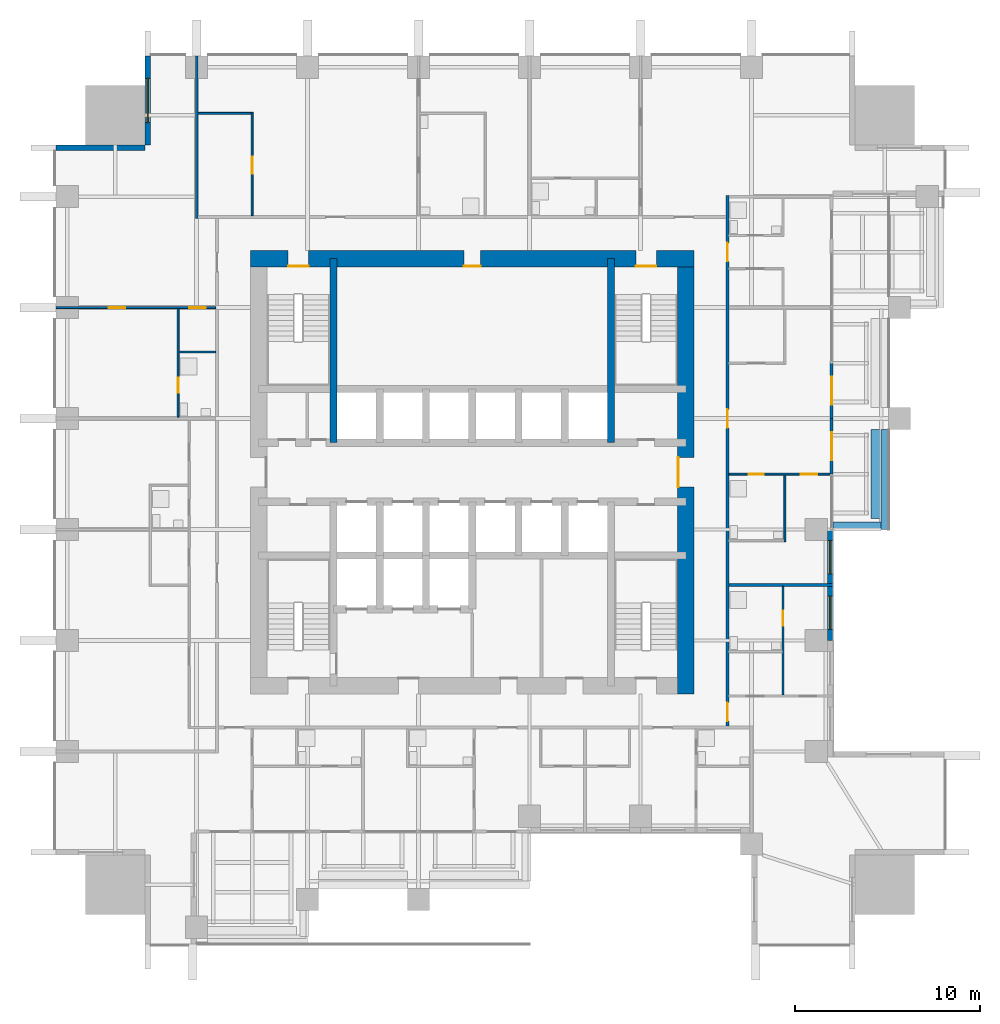
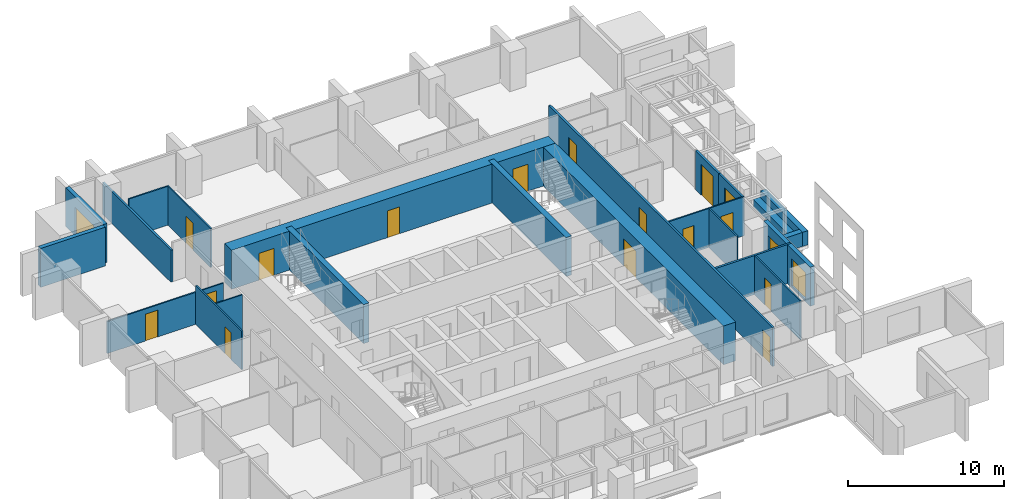
# One storey, part 10 of 15: 23 walls, 16 doors, 3 windows, 19 openings.
"""IFC4 building model written with IfcOpenShell, lengths in metres."""

import ifcopenshell
import ifcopenshell.guid

model = None  # the IFC model being written
_history = None  # IfcOwnerHistory: only IFC2X3 demands one
_inside = {}  # id of a spatial element -> (the spatial element, [elements in it])
_under = {}  # id of a project, library or spatial element -> (it, [spatial elements below it])
_declared = {}  # id of a project -> (the project, [libraries it declares])
_typed = {}  # id of a type object -> (the type object, [elements of that type])
_made_of = {}  # id of a material, layer set ... -> (it, [elements and type objects made of it])


def new_model(schema):
    """Start an empty IFC model of exactly this schema.

    Asked for "IFC4X3", IfcOpenShell would pick the latest addendum, in which some entities
    have other attributes; the version numbers below select the first issue.
    IFC2X3 requires an IfcOwnerHistory on every rooted entity: one is made here for all.
    """
    global model, _history
    if schema == "IFC4X3":
        model = ifcopenshell.file(schema_version=(4, 3, 0, 0))
    else:
        model = ifcopenshell.file(schema=schema)
    _inside.clear()
    _under.clear()
    _declared.clear()
    _typed.clear()
    _made_of.clear()
    _history = None
    if model.schema == "IFC2X3":
        org = make("IfcOrganization", Name="unknown")
        user = make(
            "IfcPersonAndOrganization",
            ThePerson=make("IfcPerson", FamilyName="unknown"),
            TheOrganization=org,
        )
        app = make(
            "IfcApplication",
            ApplicationDeveloper=org,
            Version="unknown",
            ApplicationFullName="unknown",
            ApplicationIdentifier="unknown",
        )
        _history = make(
            "IfcOwnerHistory",
            OwningUser=user,
            OwningApplication=app,
            ChangeAction="ADDED",
            CreationDate=0,
        )
    return model


def make(cls, **values):
    """One entity of the class cls with the attributes given. An attribute that is None is left unset."""
    return model.create_entity(
        cls, **{name: value for name, value in values.items() if value is not None}
    )


def rooted(cls, **values):
    """An entity with a GlobalId (a new one), such as an element, a storey or a relation."""
    return make(cls, GlobalId=ifcopenshell.guid.new(), OwnerHistory=_history, **values)


def si_unit(unit_type, name, prefix=None):
    """IfcSIUnit, for example si_unit("LENGTHUNIT", "METRE", prefix="MILLI")."""
    return make("IfcSIUnit", UnitType=unit_type, Prefix=prefix, Name=name)


def assignment(units):
    """IfcUnitAssignment: the units of a project."""
    return None if units is None else make("IfcUnitAssignment", Units=units)


def point(xyz):
    """IfcCartesianPoint."""
    return None if xyz is None else make("IfcCartesianPoint", Coordinates=xyz)


def direction(xyz):
    """IfcDirection."""
    return None if xyz is None else make("IfcDirection", DirectionRatios=xyz)


def frame(location, z_axis=None, x_axis=None):
    """IfcAxis2Placement3D, a coordinate frame: its origin and axes. An axis left out is left unset."""
    return make(
        "IfcAxis2Placement3D",
        Location=point(location),
        Axis=direction(z_axis),
        RefDirection=direction(x_axis),
    )


def frame_2d(location, x_axis=None):
    """IfcAxis2Placement2D, a coordinate frame in the plane: its origin and x axis."""
    return make(
        "IfcAxis2Placement2D", Location=point(location), RefDirection=direction(x_axis)
    )


def origin():
    """The frame at (0, 0, 0) with its axes left unset."""
    return frame((0.0, 0.0, 0.0))


def place(relative_to, where):
    """IfcLocalPlacement: puts the frame where relative to a parent placement (None: the world)."""
    return make(
        "IfcLocalPlacement", PlacementRelTo=relative_to, RelativePlacement=where
    )


def context(
    kind, dimensions, precision=None, world=None, true_north=None, identifier=None
):
    """IfcGeometricRepresentationContext, for example the 3D "Model" context."""
    return make(
        "IfcGeometricRepresentationContext",
        ContextIdentifier=identifier,
        ContextType=kind,
        CoordinateSpaceDimension=dimensions,
        Precision=precision,
        WorldCoordinateSystem=world,
        TrueNorth=true_north,
    )


def subcontext(parent, identifier, kind, view, scale=None):
    """IfcGeometricRepresentationSubContext, for example "Body" below "Model"."""
    return make(
        "IfcGeometricRepresentationSubContext",
        ContextIdentifier=identifier,
        ContextType=kind,
        ParentContext=parent,
        TargetScale=scale,
        TargetView=view,
    )


def project(units=None, contexts=None):
    """IfcProject with its units and contexts."""
    return rooted(
        "IfcProject",
        Name="project",
        RepresentationContexts=contexts,
        UnitsInContext=assignment(units),
    )


def spatial(cls, under=None, at=None, **own):
    """A site, building, storey or space (cls), placed at a placement, below another one or the project."""
    s = rooted(cls, ObjectPlacement=at, **own)
    if under is not None:
        _under.setdefault(under.id(), (under, []))[1].append(s)
    return s


def profile(cls, at=None, kind="AREA", **sizes):
    """A parametric profile (cls). Its sizes go by their IFC names, for example OverallWidth=200.0."""
    return make(cls, ProfileType=kind, Position=at, **sizes)


def rectangle(**sizes):
    """IfcRectangleProfileDef."""
    return profile("IfcRectangleProfileDef", **sizes)


def extrude(swept, where, along, depth):
    """IfcExtrudedAreaSolid: the profile swept, set in the frame where, extruded along a direction by depth."""
    return make(
        "IfcExtrudedAreaSolid",
        SweptArea=swept,
        Position=where,
        ExtrudedDirection=direction(along),
        Depth=depth,
    )


def shape(context_of_items, identifier, shape_type, items):
    """IfcShapeRepresentation: the items that make up one representation, for example the "Body"."""
    return make(
        "IfcShapeRepresentation",
        ContextOfItems=context_of_items,
        RepresentationIdentifier=identifier,
        RepresentationType=shape_type,
        Items=items,
    )


def material(Name=None, Category=None):
    """IfcMaterial."""
    return make("IfcMaterial", Name=Name, Category=Category)


def layer(
    of_material, thickness, ventilated=None, Name=None, Category=None, Priority=None
):
    """IfcMaterialLayer: one layer of a wall or slab, of a material (None: an air gap)."""
    return make(
        "IfcMaterialLayer",
        Material=of_material,
        LayerThickness=thickness,
        IsVentilated=ventilated,
        Name=Name,
        Category=Category,
        Priority=Priority,
    )


def layer_set(layers, Name=None):
    """IfcMaterialLayerSet."""
    return make("IfcMaterialLayerSet", MaterialLayers=layers, LayerSetName=Name)


def made_of(thing, what):
    """Note that an element or type object is made of a material, layer set ...; save() writes the relation."""
    if what is not None:
        _made_of.setdefault(what.id(), (what, []))[1].append(thing)
    return thing


def type_object(cls, material=None, **own):
    """A type object (cls), such as IfcWallType, which elements share."""
    return made_of(rooted(cls, **own), material)


def element(
    cls,
    number,
    at=None,
    inside=None,
    cuts=None,
    type_object=None,
    material=None,
    context=None,
    identifier="Body",
    shape_type=None,
    held_by="IfcProductDefinitionShape",
    body=None,
    shapes=None,
    **own,
):
    """One element of the class cls, such as IfcWall. Its Tag is "e" and its number.

    at: its placement. inside: the storey or other place that contains it. cuts: it is an
    opening in that element (IfcRelVoidsElement). A single representation is given by context,
    identifier, shape_type and body (its items); several are given by shapes. held_by: the class
    of the entity that holds the representations. save() writes the other relations.
    """
    e = rooted(cls, Tag="e%d" % number, ObjectPlacement=at, **own)
    if body is not None:
        shapes = [shape(context, identifier, shape_type, body)]
    if shapes is not None:
        e.Representation = make(held_by, Representations=shapes)
    if inside is not None:
        _inside.setdefault(inside.id(), (inside, []))[1].append(e)
    if cuts is not None:
        rooted(
            "IfcRelVoidsElement", RelatingBuildingElement=cuts, RelatedOpeningElement=e
        )
    if type_object is not None:
        _typed.setdefault(type_object.id(), (type_object, []))[1].append(e)
    return made_of(e, material)


def fill(opening, filler):
    """IfcRelFillsElement: the door or window that sits in an opening."""
    return rooted(
        "IfcRelFillsElement",
        RelatingOpeningElement=opening,
        RelatedBuildingElement=filler,
    )


def aggregate(whole, parts):
    """IfcRelAggregates: a whole, such as a stair, and the parts it consists of."""
    return rooted("IfcRelAggregates", RelatingObject=whole, RelatedObjects=parts)


def save(model, path):
    """Write the relations noted so far, then the file.

    IfcRelAggregates (storeys below a building ...), IfcRelContainedInSpatialStructure (elements
    in a storey), IfcRelDefinesByType, IfcRelAssociatesMaterial and IfcRelDeclares: one each for
    every whole, place, type object, material and project.
    """
    for whole, parts in _under.values():
        aggregate(whole, parts)
    for where, things in _inside.values():
        rooted(
            "IfcRelContainedInSpatialStructure",
            RelatedElements=things,
            RelatingStructure=where,
        )
    for kind, things in _typed.values():
        rooted("IfcRelDefinesByType", RelatedObjects=things, RelatingType=kind)
    for what, things in _made_of.values():
        rooted("IfcRelAssociatesMaterial", RelatedObjects=things, RelatingMaterial=what)
    for by, libraries in _declared.values():
        rooted("IfcRelDeclares", RelatingContext=by, RelatedDefinitions=libraries)
    model.write(path)


model = new_model("IFC4")

# Units and contexts
model_context = context("Model", 3, precision=1e-05, world=origin(), true_north=direction((0.0, 1.0)))
body_context = subcontext(model_context, "Body", "Model", "MODEL_VIEW")
ifc_project = project(units=[si_unit("LENGTHUNIT", "METRE"), si_unit("AREAUNIT", "SQUARE_METRE"), si_unit("VOLUMEUNIT", "CUBIC_METRE"), si_unit("PLANEANGLEUNIT", "RADIAN"), si_unit("MASSUNIT", "GRAM", prefix="KILO")], contexts=[model_context])

# Site, building, storey
site_placement = place(None, origin())
site = spatial("IfcSite", under=ifc_project, at=site_placement, CompositionType="ELEMENT")
building_placement = place(site_placement, origin())
building = spatial("IfcBuilding", under=site, at=building_placement, Name="Amberfall Residences", CompositionType="ELEMENT")
storey_placement = place(building_placement, frame((0.0, 0.0, 53.199951171875)))
storey = spatial("IfcBuildingStorey", under=building, at=storey_placement, Name="L14", CompositionType="ELEMENT", Elevation=53.199951171875)

# Wall, opening, window
ifc_material_1 = material(Name="Pale stone cladding on insulated backing", Category="masonry")
ifc_layer_1 = layer(ifc_material_1, 0.300048828125)
ifc_layer_set_1 = layer_set([ifc_layer_1], Name="Bronze clad wall 300")
wall_type_1 = type_object("IfcWallType", Name="Bronze clad wall 300", PredefinedType="SOLIDWALL", material=ifc_layer_set_1)
wall_1_placement = place(storey_placement, frame((56.949951171875, 68.0, 0.0), z_axis=(0.0, 0.0, 1.0), x_axis=(0.0, -1.0, 0.0)))
wall_1 = element("IfcWall", 1, at=wall_1_placement, inside=storey, type_object=wall_type_1, Name="External wall L14 NW", PredefinedType="SOLIDWALL", context=body_context, shape_type="SweptSolid", body=[
    extrude(rectangle(XDim=4.800048828125, YDim=0.300048828125, at=frame_2d((2.39990234375, 0.0))), origin(), (0.0, 0.0, 1.0), 3.050048828125),
])
opening_1_placement = place(wall_1_placement, frame((1.199951171875, 0.0, 0.14990234375)))
opening_1 = element("IfcOpeningElement", 2, at=opening_1_placement, cuts=wall_1, Name="Opening WN5", PredefinedType="OPENING", context=body_context, shape_type="SweptSolid", body=[
    extrude(rectangle(XDim=2.39990234375, YDim=2.10009765625, at=frame_2d((1.199951171875, 1.050048828125))), frame((0.0, 0.159912109375, 0.0), z_axis=(0.0, -1.0, 0.0), x_axis=(1.0, 0.0, 0.0)), (0.0, 0.0, 1.0), 0.320068359375),
])
ifc_material_2 = material(Name="Bronze aluminium framed glazing", Category="aluminium")
window_type_1 = type_object("IfcWindowType", Name="Glazed opening 2400 x 2100 bronze", PartitioningType="DOUBLE_PANEL_VERTICAL", PredefinedType="WINDOW", material=ifc_material_2)
window_1_placement = place(opening_1_placement, origin())
window_1 = element("IfcWindow", 3, at=window_1_placement, inside=storey, type_object=window_type_1, Name="Window L14 NW", OverallHeight=2.10009765625, OverallWidth=2.39990234375, PartitioningType="DOUBLE_PANEL_VERTICAL", PredefinedType="WINDOW", context=body_context, shape_type="SweptSolid", body=[
    extrude(rectangle(XDim=2.39990234375, YDim=2.10009765625, at=frame_2d((1.199951171875, 1.050048828125))), frame((0.0, 0.030029296875, 0.0), z_axis=(0.0, -1.0, 0.0), x_axis=(1.0, 0.0, 0.0)), (0.0, 0.0, 1.0), 0.06005859375),
])
fill(opening_1, window_1)

# Wall
wall_2_placement = place(storey_placement, frame((56.800048828125, 63.050048828125, 0.0), z_axis=(0.0, 0.0, 1.0), x_axis=(-1.0, 0.0, 0.0)))
element("IfcWall", 4, at=wall_2_placement, inside=storey, type_object=wall_type_1, Name="External wall L14 NW", PredefinedType="SOLIDWALL", context=body_context, shape_type="SweptSolid", body=[
    extrude(rectangle(XDim=4.800048828125, YDim=0.300048828125, at=frame_2d((2.39990234375, 0.0))), origin(), (0.0, 0.0, 1.0), 3.050048828125),
])

# Wall, openings, windows
wall_3_placement = place(storey_placement, frame((93.85009765625, 36.39990234375, 0.0), z_axis=(0.0, 0.0, 1.0), x_axis=(0.0, 1.0, 0.0)))
wall_3 = element("IfcWall", 5, at=wall_3_placement, inside=storey, type_object=wall_type_1, Name="Stone wall L14 E", PredefinedType="SOLIDWALL", context=body_context, shape_type="SweptSolid", body=[
    extrude(rectangle(XDim=6.0, YDim=0.300048828125, at=frame_2d((3.0, 0.0))), origin(), (0.0, 0.0, 1.0), 3.050048828125),
])
opening_2_placement = place(wall_3_placement, frame((0.60009765625, 0.0, 0.14990234375)))
opening_2 = element("IfcOpeningElement", 6, at=opening_2_placement, cuts=wall_3, Name="Opening WN6", PredefinedType="OPENING", context=body_context, shape_type="SweptSolid", body=[
    extrude(rectangle(XDim=1.800048828125, YDim=2.10009765625, at=frame_2d((0.89990234375, 1.050048828125))), frame((0.0, 0.159912109375, 0.0), z_axis=(0.0, -1.0, 0.0), x_axis=(1.0, 0.0, 0.0)), (0.0, 0.0, 1.0), 0.320068359375),
])
opening_3_placement = place(wall_3_placement, frame((3.60009765625, 0.0, 0.14990234375)))
opening_3 = element("IfcOpeningElement", 7, at=opening_3_placement, cuts=wall_3, Name="Opening WN6", PredefinedType="OPENING", context=body_context, shape_type="SweptSolid", body=[
    extrude(rectangle(XDim=1.800048828125, YDim=2.10009765625, at=frame_2d((0.89990234375, 1.050048828125))), frame((0.0, 0.159912109375, 0.0), z_axis=(0.0, -1.0, 0.0), x_axis=(1.0, 0.0, 0.0)), (0.0, 0.0, 1.0), 0.320068359375),
])
window_type_2 = type_object("IfcWindowType", Name="Glazed opening 1800 x 2100 bronze", PartitioningType="DOUBLE_PANEL_VERTICAL", PredefinedType="WINDOW", material=ifc_material_2)
window_2_placement = place(opening_2_placement, origin())
window_2 = element("IfcWindow", 8, at=window_2_placement, inside=storey, type_object=window_type_2, Name="Window L14 E", OverallHeight=2.10009765625, OverallWidth=1.800048828125, PartitioningType="DOUBLE_PANEL_VERTICAL", PredefinedType="WINDOW", context=body_context, shape_type="SweptSolid", body=[
    extrude(rectangle(XDim=1.800048828125, YDim=2.10009765625, at=frame_2d((0.89990234375, 1.050048828125))), frame((0.0, 0.030029296875, 0.0), z_axis=(0.0, -1.0, 0.0), x_axis=(1.0, 0.0, 0.0)), (0.0, 0.0, 1.0), 0.06005859375),
])
fill(opening_2, window_2)
window_3_placement = place(opening_3_placement, origin())
window_3 = element("IfcWindow", 9, at=window_3_placement, inside=storey, type_object=window_type_2, Name="Window L14 E", OverallHeight=2.10009765625, OverallWidth=1.800048828125, PartitioningType="DOUBLE_PANEL_VERTICAL", PredefinedType="WINDOW", context=body_context, shape_type="SweptSolid", body=[
    extrude(rectangle(XDim=1.800048828125, YDim=2.10009765625, at=frame_2d((0.89990234375, 1.050048828125))), frame((0.0, 0.030029296875, 0.0), z_axis=(0.0, -1.0, 0.0), x_axis=(1.0, 0.0, 0.0)), (0.0, 0.0, 1.0), 0.06005859375),
])
fill(opening_3, window_3)

# Walls
ifc_material_3 = material(Name="Concrete C80", Category="concrete")
ifc_layer_2 = layer(ifc_material_3, 0.39990234375)
ifc_layer_set_2 = layer_set([ifc_layer_2], Name="Core wall 400 C80")
wall_type_2 = type_object("IfcWallType", Name="Core wall 400 C80", PredefinedType="SHEAR", material=ifc_layer_set_2)
for number, where, z_axis, x_axis, name in (
    (10, (67.0, 47.10009765625, 0.0), (0.0, 0.0, 1.0), (0.0, 1.0, 0.0), "Core wall RW2 L14 V45N"),
    (11, (82.0, 47.10009765625, 0.0), (0.0, 0.0, 1.0), (0.0, 1.0, 0.0), "Core wall RW2 L14 V195N"),
):
    element("IfcWall", number, at=place(storey_placement, frame(where, z_axis=z_axis, x_axis=x_axis)), inside=storey, type_object=wall_type_2, Name=name, PredefinedType="SHEAR", context=body_context, shape_type="SweptSolid", body=[
        extrude(rectangle(XDim=9.949951171875, YDim=0.39990234375, at=frame_2d((4.97509765625, 0.0))), origin(), (0.0, 0.0, 1.0), 3.050048828125),
    ])

# Wall, openings, doors
ifc_layer_3 = layer(ifc_material_3, 0.89990234375)
ifc_layer_set_3 = layer_set([ifc_layer_3], Name="Core wall 900 C80")
wall_type_3 = type_object("IfcWallType", Name="Core wall 900 C80", PredefinedType="SHEAR", material=ifc_layer_set_3)
wall_4_placement = place(storey_placement, frame((62.5, 57.050048828125, 0.0), z_axis=(0.0, 0.0, 1.0), x_axis=(1.0, 0.0, 0.0)))
wall_4 = element("IfcWall", 12, at=wall_4_placement, inside=storey, type_object=wall_type_3, Name="Core wall RW1 L14 ON", PredefinedType="SHEAR", context=body_context, shape_type="SweptSolid", body=[
    extrude(rectangle(XDim=24.0, YDim=0.89990234375, at=frame_2d((12.0, 0.0))), origin(), (0.0, 0.0, 1.0), 3.050048828125),
])
opening_4_placement = place(wall_4_placement, frame((20.85009765625, 0.0, 0.0)))
opening_4 = element("IfcOpeningElement", 13, at=opening_4_placement, cuts=wall_4, Name="Opening SD1", PredefinedType="OPENING", context=body_context, shape_type="SweptSolid", body=[
    extrude(rectangle(XDim=1.10009765625, YDim=2.10009765625, at=frame_2d((0.550048828125, 1.050048828125))), frame((0.0, 0.4599609375, 0.0), z_axis=(0.0, -1.0, 0.0), x_axis=(1.0, 0.0, 0.0)), (0.0, 0.0, 1.0), 0.919921875),
])
opening_5_placement = place(wall_4_placement, frame((2.050048828125, 0.0, 0.0)))
opening_5 = element("IfcOpeningElement", 14, at=opening_5_placement, cuts=wall_4, Name="Opening SD1", PredefinedType="OPENING", context=body_context, shape_type="SweptSolid", body=[
    extrude(rectangle(XDim=1.10009765625, YDim=2.10009765625, at=frame_2d((0.550048828125, 1.050048828125))), frame((0.0, 0.4599609375, 0.0), z_axis=(0.0, -1.0, 0.0), x_axis=(1.0, 0.0, 0.0)), (0.0, 0.0, 1.0), 0.919921875),
])
opening_6_placement = place(wall_4_placement, frame((11.550048828125, 0.0, 0.0)))
opening_6 = element("IfcOpeningElement", 15, at=opening_6_placement, cuts=wall_4, Name="Opening RD1", PredefinedType="OPENING", context=body_context, shape_type="SweptSolid", body=[
    extrude(rectangle(XDim=0.89990234375, YDim=2.10009765625, at=frame_2d((0.449951171875, 1.050048828125))), frame((0.0, 0.4599609375, 0.0), z_axis=(0.0, -1.0, 0.0), x_axis=(1.0, 0.0, 0.0)), (0.0, 0.0, 1.0), 0.919921875),
])
ifc_material_4 = material(Name="Steel fire door set", Category="steel")
door_type_1 = type_object("IfcDoorType", Name="Service room door 900 x 2100", OperationType="SINGLE_SWING_LEFT", PredefinedType="DOOR", material=ifc_material_4)
door_1_placement = place(opening_6_placement, origin())
door_1 = element("IfcDoor", 16, at=door_1_placement, inside=storey, type_object=door_type_1, Name="RD1 L14", OperationType="SINGLE_SWING_RIGHT", OverallHeight=2.10009765625, OverallWidth=0.89990234375, PredefinedType="DOOR", context=body_context, shape_type="SweptSolid", body=[
    extrude(rectangle(XDim=0.89990234375, YDim=2.10009765625, at=frame_2d((0.449951171875, 1.050048828125))), frame((0.0, -0.3876953125, 0.0), z_axis=(0.0, -1.0, 0.0), x_axis=(1.0, 0.0, 0.0)), (0.0, 0.0, 1.0), 0.050048828125),
])
fill(opening_6, door_1)
door_type_2 = type_object("IfcDoorType", Name="Stair door 1100 x 2100", OperationType="SINGLE_SWING_LEFT", PredefinedType="DOOR", material=ifc_material_4)
door_2_placement = place(opening_4_placement, origin())
door_2 = element("IfcDoor", 17, at=door_2_placement, inside=storey, type_object=door_type_2, Name="SD1 L14", OperationType="SINGLE_SWING_RIGHT", OverallHeight=2.10009765625, OverallWidth=1.10009765625, PredefinedType="DOOR", context=body_context, shape_type="SweptSolid", body=[
    extrude(rectangle(XDim=1.10009765625, YDim=2.10009765625, at=frame_2d((0.550048828125, 1.050048828125))), frame((0.0, -0.3876953125, 0.0), z_axis=(0.0, -1.0, 0.0), x_axis=(1.0, 0.0, 0.0)), (0.0, 0.0, 1.0), 0.050048828125),
])
fill(opening_4, door_2)
door_3_placement = place(opening_5_placement, origin())
door_3 = element("IfcDoor", 18, at=door_3_placement, inside=storey, type_object=door_type_2, Name="SD1 L14", OperationType="SINGLE_SWING_LEFT", OverallHeight=2.10009765625, OverallWidth=1.10009765625, PredefinedType="DOOR", context=body_context, shape_type="SweptSolid", body=[
    extrude(rectangle(XDim=1.10009765625, YDim=2.10009765625, at=frame_2d((0.550048828125, 1.050048828125))), frame((0.0, -0.3876953125, 0.0), z_axis=(0.0, -1.0, 0.0), x_axis=(1.0, 0.0, 0.0)), (0.0, 0.0, 1.0), 0.050048828125),
])
fill(opening_5, door_3)

# Wall, opening, door
wall_5_placement = place(storey_placement, frame((86.050048828125, 33.5, 0.0), z_axis=(0.0, 0.0, 1.0), x_axis=(0.0, 1.0, 0.0)))
wall_5 = element("IfcWall", 19, at=wall_5_placement, inside=storey, type_object=wall_type_3, Name="Core wall RW1 L14 OE", PredefinedType="SHEAR", context=body_context, shape_type="SweptSolid", body=[
    extrude(rectangle(XDim=24.0, YDim=0.89990234375, at=frame_2d((12.0, 0.0))), origin(), (0.0, 0.0, 1.0), 3.050048828125),
])
opening_7_placement = place(wall_5_placement, frame((11.199951171875, 0.0, 0.0)))
opening_7 = element("IfcOpeningElement", 20, at=opening_7_placement, cuts=wall_5, Name="Opening LB1", PredefinedType="OPENING", context=body_context, shape_type="SweptSolid", body=[
    extrude(rectangle(XDim=1.60009765625, YDim=2.10009765625, at=frame_2d((0.800048828125, 1.050048828125))), frame((0.0, 0.4599609375, 0.0), z_axis=(0.0, -1.0, 0.0), x_axis=(1.0, 0.0, 0.0)), (0.0, 0.0, 1.0), 0.919921875),
])
door_type_3 = type_object("IfcDoorType", Name="Lift lobby double door 1600 x 2100", OperationType="DOUBLE_DOOR_SINGLE_SWING", PredefinedType="DOOR", material=ifc_material_4)
door_4_placement = place(opening_7_placement, origin())
door_4 = element("IfcDoor", 21, at=door_4_placement, inside=storey, type_object=door_type_3, Name="LB1 L14", OperationType="DOUBLE_DOOR_SINGLE_SWING", OverallHeight=2.10009765625, OverallWidth=1.60009765625, PredefinedType="DOOR", context=body_context, shape_type="SweptSolid", body=[
    extrude(rectangle(XDim=1.60009765625, YDim=2.10009765625, at=frame_2d((0.800048828125, 1.050048828125))), frame((0.0, 0.4375, 0.0), z_axis=(0.0, -1.0, 0.0), x_axis=(1.0, 0.0, 0.0)), (0.0, 0.0, 1.0), 0.050048828125),
])
fill(opening_7, door_4)

ifc_material_5 = material(Name="Gypsum board on metal stud")
ifc_layer_4 = layer(ifc_material_5, 0.10009765625)
ifc_layer_set_4 = layer_set([ifc_layer_4], Name="Flat partition 100")
wall_type_4 = type_object("IfcWallType", Name="Flat partition 100", PredefinedType="PARTITIONING", material=ifc_layer_set_4)
wall_6_placement = place(storey_placement, frame((58.60009765625, 54.35009765625, 0.0), z_axis=(0.0, 0.0, 1.0), x_axis=(0.0, -1.0, 0.0)))
wall_6 = element("IfcWall", 22, at=wall_6_placement, inside=storey, type_object=wall_type_4, Name="Partition 002", PredefinedType="PARTITIONING", context=body_context, shape_type="SweptSolid", body=[
    extrude(rectangle(XDim=5.875, YDim=0.10009765625, at=frame_2d((2.9375, 0.0))), origin(), (0.0, 0.0, 1.0), 3.050048828125),
])
opening_8_placement = place(wall_6_placement, frame((3.75, 0.0, 0.0)))
opening_8 = element("IfcOpeningElement", 23, at=opening_8_placement, cuts=wall_6, Name="Opening D42", PredefinedType="OPENING", context=body_context, shape_type="SweptSolid", body=[
    extrude(rectangle(XDim=0.800048828125, YDim=2.10009765625, at=frame_2d((0.39990234375, 1.050048828125))), frame((0.0, 0.06005859375, 0.0), z_axis=(0.0, -1.0, 0.0), x_axis=(1.0, 0.0, 0.0)), (0.0, 0.0, 1.0), 0.1201171875),
])
ifc_material_6 = material(Name="Timber", Category="wood")
door_type_4 = type_object("IfcDoorType", Name="Bathroom door 800 x 2100", OperationType="SINGLE_SWING_LEFT", PredefinedType="DOOR", material=ifc_material_6)
door_5_placement = place(opening_8_placement, origin())
door_5 = element("IfcDoor", 24, at=door_5_placement, inside=storey, type_object=door_type_4, Name="Door 1410 bath1", OperationType="SINGLE_SWING_LEFT", OverallHeight=2.10009765625, OverallWidth=0.800048828125, PredefinedType="DOOR", context=body_context, shape_type="SweptSolid", body=[
    extrude(rectangle(XDim=0.800048828125, YDim=2.10009765625, at=frame_2d((0.39990234375, 1.050048828125))), frame((0.0, 0.02490234375, 0.0), z_axis=(0.0, -1.0, 0.0), x_axis=(1.0, 0.0, 0.0)), (0.0, 0.0, 1.0), 0.050048828125),
])
fill(opening_8, door_5)

wall_7_placement = place(storey_placement, frame((62.60009765625, 59.375, 0.0), z_axis=(0.0, 0.0, 1.0), x_axis=(0.0, 1.0, 0.0)))
wall_7 = element("IfcWall", 25, at=wall_7_placement, inside=storey, type_object=wall_type_4, Name="Partition 005", PredefinedType="PARTITIONING", context=body_context, shape_type="SweptSolid", body=[
    extrude(rectangle(XDim=5.574951171875, YDim=0.10009765625, at=frame_2d((2.78759765625, 0.0))), origin(), (0.0, 0.0, 1.0), 3.050048828125),
])
opening_9_placement = place(wall_7_placement, frame((2.27490234375, 0.0, 0.0)))
opening_9 = element("IfcOpeningElement", 26, at=opening_9_placement, cuts=wall_7, Name="Opening D41", PredefinedType="OPENING", context=body_context, shape_type="SweptSolid", body=[
    extrude(rectangle(XDim=0.89990234375, YDim=2.10009765625, at=frame_2d((0.449951171875, 1.050048828125))), frame((0.0, 0.06005859375, 0.0), z_axis=(0.0, -1.0, 0.0), x_axis=(1.0, 0.0, 0.0)), (0.0, 0.0, 1.0), 0.1201171875),
])
door_type_5 = type_object("IfcDoorType", Name="Internal door 900 x 2100", OperationType="SINGLE_SWING_LEFT", PredefinedType="DOOR", material=ifc_material_6)
door_6_placement = place(opening_9_placement, origin())
door_6 = element("IfcDoor", 27, at=door_6_placement, inside=storey, type_object=door_type_5, Name="Door 1407 kitchen", OperationType="SINGLE_SWING_LEFT", OverallHeight=2.10009765625, OverallWidth=0.89990234375, PredefinedType="DOOR", context=body_context, shape_type="SweptSolid", body=[
    extrude(rectangle(XDim=0.89990234375, YDim=2.10009765625, at=frame_2d((0.449951171875, 1.050048828125))), frame((0.0, 0.02490234375, 0.0), z_axis=(0.0, -1.0, 0.0), x_axis=(1.0, 0.0, 0.0)), (0.0, 0.0, 1.0), 0.050048828125),
])
fill(opening_9, door_6)

wall_8_placement = place(storey_placement, frame((91.300048828125, 33.449951171875, 0.0), z_axis=(0.0, 0.0, 1.0), x_axis=(0.0, 1.0, 0.0)))
wall_8 = element("IfcWall", 28, at=wall_8_placement, inside=storey, type_object=wall_type_4, Name="Partition 016", PredefinedType="PARTITIONING", context=body_context, shape_type="SweptSolid", body=[
    extrude(rectangle(XDim=5.875, YDim=0.10009765625, at=frame_2d((2.9375, 0.0))), origin(), (0.0, 0.0, 1.0), 3.050048828125),
])
opening_10_placement = place(wall_8_placement, frame((3.75, 0.0, 0.0)))
opening_10 = element("IfcOpeningElement", 29, at=opening_10_placement, cuts=wall_8, Name="Opening D42", PredefinedType="OPENING", context=body_context, shape_type="SweptSolid", body=[
    extrude(rectangle(XDim=0.800048828125, YDim=2.10009765625, at=frame_2d((0.39990234375, 1.050048828125))), frame((0.0, 0.06005859375, 0.0), z_axis=(0.0, -1.0, 0.0), x_axis=(1.0, 0.0, 0.0)), (0.0, 0.0, 1.0), 0.1201171875),
])
door_7_placement = place(opening_10_placement, origin())
door_7 = element("IfcDoor", 30, at=door_7_placement, inside=storey, type_object=door_type_4, Name="Door 1404 bath1", OperationType="SINGLE_SWING_LEFT", OverallHeight=2.10009765625, OverallWidth=0.800048828125, PredefinedType="DOOR", context=body_context, shape_type="SweptSolid", body=[
    extrude(rectangle(XDim=0.800048828125, YDim=2.10009765625, at=frame_2d((0.39990234375, 1.050048828125))), frame((0.0, 0.02490234375, 0.0), z_axis=(0.0, -1.0, 0.0), x_axis=(1.0, 0.0, 0.0)), (0.0, 0.0, 1.0), 0.050048828125),
])
fill(opening_10, door_7)

# Walls
wall_9_placement = place(storey_placement, frame((91.39990234375, 41.75, 0.0), z_axis=(0.0, 0.0, 1.0), x_axis=(0.0, 1.0, 0.0)))
element("IfcWall", 31, at=wall_9_placement, inside=storey, type_object=wall_type_4, Name="Partition 019", PredefinedType="PARTITIONING", context=body_context, shape_type="SweptSolid", body=[
    extrude(rectangle(XDim=3.60009765625, YDim=0.10009765625, at=frame_2d((1.800048828125, 0.0))), origin(), (0.0, 0.0, 1.0), 3.050048828125),
])
wall_10_placement = place(storey_placement, frame((59.675048828125, 64.89990234375, 0.0), z_axis=(0.0, 0.0, 1.0), x_axis=(1.0, 0.0, 0.0)))
element("IfcWall", 32, at=wall_10_placement, inside=storey, type_object=wall_type_4, Name="Partition 021", PredefinedType="PARTITIONING", context=body_context, shape_type="SweptSolid", body=[
    extrude(rectangle(XDim=2.875, YDim=0.10009765625, at=frame_2d((1.4375, 0.0))), origin(), (0.0, 0.0, 1.0), 3.050048828125),
])

# Wall, openings, doors
wall_11_placement = place(storey_placement, frame((60.625, 54.39990234375, 0.0), z_axis=(0.0, 0.0, 1.0), x_axis=(-1.0, 0.0, 0.0)))
wall_11 = element("IfcWall", 33, at=wall_11_placement, inside=storey, type_object=wall_type_4, Name="Partition 026", PredefinedType="PARTITIONING", context=body_context, shape_type="SweptSolid", body=[
    extrude(rectangle(XDim=8.625, YDim=0.10009765625, at=frame_2d((4.3125, 0.0))), origin(), (0.0, 0.0, 1.0), 2.51611328125),
])
opening_11_placement = place(wall_11_placement, frame((0.52490234375, 0.0, 0.0)))
opening_11 = element("IfcOpeningElement", 34, at=opening_11_placement, cuts=wall_11, Name="Opening D41", PredefinedType="OPENING", context=body_context, shape_type="SweptSolid", body=[
    extrude(rectangle(XDim=0.89990234375, YDim=2.10009765625, at=frame_2d((0.449951171875, 1.050048828125))), frame((0.0, 0.06005859375, 0.0), z_axis=(0.0, -1.0, 0.0), x_axis=(1.0, 0.0, 0.0)), (0.0, 0.0, 1.0), 0.1201171875),
])
opening_12_placement = place(wall_11_placement, frame((4.875, 0.0, 0.0)))
opening_12 = element("IfcOpeningElement", 35, at=opening_12_placement, cuts=wall_11, Name="Opening D41", PredefinedType="OPENING", context=body_context, shape_type="SweptSolid", body=[
    extrude(rectangle(XDim=0.89990234375, YDim=2.10009765625, at=frame_2d((0.449951171875, 1.050048828125))), frame((0.0, 0.06005859375, 0.0), z_axis=(0.0, -1.0, 0.0), x_axis=(1.0, 0.0, 0.0)), (0.0, 0.0, 1.0), 0.1201171875),
])
door_8_placement = place(opening_11_placement, origin())
door_8 = element("IfcDoor", 36, at=door_8_placement, inside=storey, type_object=door_type_5, Name="Door 1410 kitchen", OperationType="SINGLE_SWING_LEFT", OverallHeight=2.10009765625, OverallWidth=0.89990234375, PredefinedType="DOOR", context=body_context, shape_type="SweptSolid", body=[
    extrude(rectangle(XDim=0.89990234375, YDim=2.10009765625, at=frame_2d((0.449951171875, 1.050048828125))), frame((0.0, 0.02490234375, 0.0), z_axis=(0.0, -1.0, 0.0), x_axis=(1.0, 0.0, 0.0)), (0.0, 0.0, 1.0), 0.050048828125),
])
fill(opening_11, door_8)
door_9_placement = place(opening_12_placement, origin())
door_9 = element("IfcDoor", 37, at=door_9_placement, inside=storey, type_object=door_type_5, Name="Door 1410 bedroom1", OperationType="SINGLE_SWING_LEFT", OverallHeight=2.10009765625, OverallWidth=0.89990234375, PredefinedType="DOOR", context=body_context, shape_type="SweptSolid", body=[
    extrude(rectangle(XDim=0.89990234375, YDim=2.10009765625, at=frame_2d((0.449951171875, 1.050048828125))), frame((0.0, 0.02490234375, 0.0), z_axis=(0.0, -1.0, 0.0), x_axis=(1.0, 0.0, 0.0)), (0.0, 0.0, 1.0), 0.050048828125),
])
fill(opening_12, door_9)

# Wall
wall_12_placement = place(storey_placement, frame((58.64990234375, 52.0, 0.0), z_axis=(0.0, 0.0, 1.0), x_axis=(1.0, 0.0, 0.0)))
element("IfcWall", 38, at=wall_12_placement, inside=storey, type_object=wall_type_4, Name="Partition 027", PredefinedType="PARTITIONING", context=body_context, shape_type="SweptSolid", body=[
    extrude(rectangle(XDim=1.97509765625, YDim=0.10009765625, at=frame_2d((0.987548828125, 0.0))), origin(), (0.0, 0.0, 1.0), 3.050048828125),
])

# Wall, openings, doors
wall_13_placement = place(storey_placement, frame((94.0, 45.39990234375, 0.0), z_axis=(0.0, 0.0, 1.0), x_axis=(-1.0, 0.0, 0.0)))
wall_13 = element("IfcWall", 39, at=wall_13_placement, inside=storey, type_object=wall_type_4, Name="Partition 029", PredefinedType="PARTITIONING", context=body_context, shape_type="SweptSolid", body=[
    extrude(rectangle(XDim=5.625, YDim=0.10009765625, at=frame_2d((2.8125, 0.0))), origin(), (0.0, 0.0, 1.0), 3.050048828125),
])
opening_13_placement = place(wall_13_placement, frame((0.85009765625, 0.0, 0.0)))
opening_13 = element("IfcOpeningElement", 40, at=opening_13_placement, cuts=wall_13, Name="Opening D41", PredefinedType="OPENING", context=body_context, shape_type="SweptSolid", body=[
    extrude(rectangle(XDim=0.89990234375, YDim=2.10009765625, at=frame_2d((0.449951171875, 1.050048828125))), frame((0.0, 0.06005859375, 0.0), z_axis=(0.0, -1.0, 0.0), x_axis=(1.0, 0.0, 0.0)), (0.0, 0.0, 1.0), 0.1201171875),
])
opening_14_placement = place(wall_13_placement, frame((3.75, 0.0, 0.0)))
opening_14 = element("IfcOpeningElement", 41, at=opening_14_placement, cuts=wall_13, Name="Opening D42", PredefinedType="OPENING", context=body_context, shape_type="SweptSolid", body=[
    extrude(rectangle(XDim=0.800048828125, YDim=2.10009765625, at=frame_2d((0.39990234375, 1.050048828125))), frame((0.0, 0.06005859375, 0.0), z_axis=(0.0, -1.0, 0.0), x_axis=(1.0, 0.0, 0.0)), (0.0, 0.0, 1.0), 0.1201171875),
])
door_10_placement = place(opening_14_placement, origin())
door_10 = element("IfcDoor", 42, at=door_10_placement, inside=storey, type_object=door_type_4, Name="Door 1405 bath1", OperationType="SINGLE_SWING_LEFT", OverallHeight=2.10009765625, OverallWidth=0.800048828125, PredefinedType="DOOR", context=body_context, shape_type="SweptSolid", body=[
    extrude(rectangle(XDim=0.800048828125, YDim=2.10009765625, at=frame_2d((0.39990234375, 1.050048828125))), frame((0.0, 0.02490234375, 0.0), z_axis=(0.0, -1.0, 0.0), x_axis=(1.0, 0.0, 0.0)), (0.0, 0.0, 1.0), 0.050048828125),
])
fill(opening_14, door_10)
door_11_placement = place(opening_13_placement, origin())
door_11 = element("IfcDoor", 43, at=door_11_placement, inside=storey, type_object=door_type_5, Name="Door 1405 bedroom1", OperationType="SINGLE_SWING_LEFT", OverallHeight=2.10009765625, OverallWidth=0.89990234375, PredefinedType="DOOR", context=body_context, shape_type="SweptSolid", body=[
    extrude(rectangle(XDim=0.89990234375, YDim=2.10009765625, at=frame_2d((0.449951171875, 1.050048828125))), frame((0.0, 0.02490234375, 0.0), z_axis=(0.0, -1.0, 0.0), x_axis=(1.0, 0.0, 0.0)), (0.0, 0.0, 1.0), 0.050048828125),
])
fill(opening_13, door_11)

# Wall
ifc_material_7 = material(Name="Blockwork, plastered", Category="masonry")
ifc_layer_5 = layer(ifc_material_7, 0.14990234375)
ifc_layer_set_5 = layer_set([ifc_layer_5], Name="Flat separating wall 150")
wall_type_5 = type_object("IfcWallType", Name="Flat separating wall 150", PredefinedType="PARTITIONING", material=ifc_layer_set_5)
wall_14_placement = place(storey_placement, frame((59.60009765625, 59.22509765625, 0.0), z_axis=(0.0, 0.0, 1.0), x_axis=(0.0, 1.0, 0.0)))
element("IfcWall", 44, at=wall_14_placement, inside=storey, type_object=wall_type_5, Name="Separating wall 041", PredefinedType="PARTITIONING", context=body_context, shape_type="SweptSolid", body=[
    extrude(rectangle(XDim=8.77490234375, YDim=0.14990234375, at=frame_2d((4.387451171875, 0.0))), origin(), (0.0, 0.0, 1.0), 2.510009765625),
])

# Wall, openings, doors
wall_15_placement = place(storey_placement, frame((88.300048828125, 60.47509765625, 0.0), z_axis=(0.0, 0.0, 1.0), x_axis=(0.0, -1.0, 0.0)))
wall_15 = element("IfcWall", 45, at=wall_15_placement, inside=storey, type_object=wall_type_5, Name="Separating wall 046", PredefinedType="PARTITIONING", context=body_context, shape_type="SweptSolid", body=[
    extrude(rectangle(XDim=28.7001953125, YDim=0.14990234375, at=frame_2d((14.35009765625, 0.0))), origin(), (0.0, 0.0, 1.0), 3.050048828125),
])
opening_15_placement = place(wall_15_placement, frame((27.425048828125, 0.0, 0.0)))
opening_15 = element("IfcOpeningElement", 46, at=opening_15_placement, cuts=wall_15, Name="Opening D40", PredefinedType="OPENING", context=body_context, shape_type="SweptSolid", body=[
    extrude(rectangle(XDim=1.0, YDim=2.10009765625, at=frame_2d((0.5, 1.050048828125))), frame((0.0, 0.0849609375, 0.0), z_axis=(0.0, -1.0, 0.0), x_axis=(1.0, 0.0, 0.0)), (0.0, 0.0, 1.0), 0.169921875),
])
opening_16_placement = place(wall_15_placement, frame((11.574951171875, 0.0, 0.0)))
opening_16 = element("IfcOpeningElement", 47, at=opening_16_placement, cuts=wall_15, Name="Opening D40", PredefinedType="OPENING", context=body_context, shape_type="SweptSolid", body=[
    extrude(rectangle(XDim=1.0, YDim=2.10009765625, at=frame_2d((0.5, 1.050048828125))), frame((0.0, 0.0849609375, 0.0), z_axis=(0.0, -1.0, 0.0), x_axis=(1.0, 0.0, 0.0)), (0.0, 0.0, 1.0), 0.169921875),
])
opening_17_placement = place(wall_15_placement, frame((2.574951171875, 0.0, 0.0)))
opening_17 = element("IfcOpeningElement", 48, at=opening_17_placement, cuts=wall_15, Name="Opening D40", PredefinedType="OPENING", context=body_context, shape_type="SweptSolid", body=[
    extrude(rectangle(XDim=1.0, YDim=2.10009765625, at=frame_2d((0.5, 1.050048828125))), frame((0.0, 0.0849609375, 0.0), z_axis=(0.0, -1.0, 0.0), x_axis=(1.0, 0.0, 0.0)), (0.0, 0.0, 1.0), 0.169921875),
])
ifc_material_8 = material(Name="Timber, fire-rated", Category="wood")
door_type_6 = type_object("IfcDoorType", Name="Flat entrance door FD60 1000 x 2100", OperationType="SINGLE_SWING_LEFT", PredefinedType="DOOR", material=ifc_material_8)
door_12_placement = place(opening_15_placement, origin())
door_12 = element("IfcDoor", 49, at=door_12_placement, inside=storey, type_object=door_type_6, Name="Door 1404 entrance", OperationType="SINGLE_SWING_LEFT", OverallHeight=2.10009765625, OverallWidth=1.0, PredefinedType="DOOR", context=body_context, shape_type="SweptSolid", body=[
    extrude(rectangle(XDim=1.0, YDim=2.10009765625, at=frame_2d((0.5, 1.050048828125))), frame((0.0, 0.02490234375, 0.0), z_axis=(0.0, -1.0, 0.0), x_axis=(1.0, 0.0, 0.0)), (0.0, 0.0, 1.0), 0.050048828125),
])
fill(opening_15, door_12)
door_13_placement = place(opening_16_placement, origin())
door_13 = element("IfcDoor", 50, at=door_13_placement, inside=storey, type_object=door_type_6, Name="Door 1405 entrance", OperationType="SINGLE_SWING_LEFT", OverallHeight=2.10009765625, OverallWidth=1.0, PredefinedType="DOOR", context=body_context, shape_type="SweptSolid", body=[
    extrude(rectangle(XDim=1.0, YDim=2.10009765625, at=frame_2d((0.5, 1.050048828125))), frame((0.0, 0.02490234375, 0.0), z_axis=(0.0, -1.0, 0.0), x_axis=(1.0, 0.0, 0.0)), (0.0, 0.0, 1.0), 0.050048828125),
])
fill(opening_16, door_13)
door_14_placement = place(opening_17_placement, origin())
door_14 = element("IfcDoor", 51, at=door_14_placement, inside=storey, type_object=door_type_6, Name="Door 1406 entrance", OperationType="SINGLE_SWING_LEFT", OverallHeight=2.10009765625, OverallWidth=1.0, PredefinedType="DOOR", context=body_context, shape_type="SweptSolid", body=[
    extrude(rectangle(XDim=1.0, YDim=2.10009765625, at=frame_2d((0.5, 1.050048828125))), frame((0.0, 0.02490234375, 0.0), z_axis=(0.0, -1.0, 0.0), x_axis=(1.0, 0.0, 0.0)), (0.0, 0.0, 1.0), 0.050048828125),
])
fill(opening_17, door_14)

# Walls
wall_16_placement = place(storey_placement, frame((88.375, 39.39990234375, 0.0), z_axis=(0.0, 0.0, 1.0), x_axis=(1.0, 0.0, 0.0)))
element("IfcWall", 52, at=wall_16_placement, inside=storey, type_object=wall_type_5, Name="Separating wall 052", PredefinedType="PARTITIONING", context=body_context, shape_type="SweptSolid", body=[
    extrude(rectangle(XDim=5.625, YDim=0.14990234375, at=frame_2d((2.8125, 0.0))), origin(), (0.0, 0.0, 1.0), 3.050048828125),
])
ifc_material_9 = material(Name="Precast concrete C32/40", Category="concrete")
ifc_layer_6 = layer(ifc_material_9, 0.5)
ifc_layer_set_6 = layer_set([ifc_layer_6], Name="Planter wall 500")
wall_type_6 = type_object("IfcWallType", Name="Planter wall 500", PredefinedType="SOLIDWALL", material=ifc_layer_set_6)
wall_17_placement = place(storey_placement, frame((96.300048828125, 43.0, 0.030029296875), z_axis=(0.0, 0.0, 1.0), x_axis=(0.0, 1.0, 0.0)))
element("IfcWall", 53, at=wall_17_placement, inside=storey, type_object=wall_type_6, Name="Planter L14 E3", PredefinedType="SOLIDWALL", context=body_context, shape_type="SweptSolid", body=[
    extrude(rectangle(XDim=4.800048828125, YDim=0.5, at=frame_2d((2.39990234375, 0.0))), origin(), (0.0, 0.0, 1.0), 0.60009765625),
])

# Wall, opening, door
ifc_layer_7 = layer(ifc_material_1, 0.14990234375)
ifc_layer_set_7 = layer_set([ifc_layer_7], Name="Terrace door infill wall 150")
wall_type_7 = type_object("IfcWallType", Name="Terrace door infill wall 150", PredefinedType="SOLIDWALL", material=ifc_layer_set_7)
wall_18_placement = place(storey_placement, frame((93.925048828125, 45.39990234375, 0.0), z_axis=(0.0, 0.0, 1.0), x_axis=(0.0, 1.0, 0.0)))
wall_18 = element("IfcWall", 54, at=wall_18_placement, inside=storey, type_object=wall_type_7, Name="Terrace door wall L14 E3", PredefinedType="SOLIDWALL", context=body_context, shape_type="SweptSolid", body=[
    extrude(rectangle(XDim=3.0, YDim=0.14990234375, at=frame_2d((1.5, 0.0))), origin(), (0.0, 0.0, 1.0), 3.050048828125),
])
opening_18_placement = place(wall_18_placement, frame((0.75, 0.0, 0.0)))
opening_18 = element("IfcOpeningElement", 55, at=opening_18_placement, cuts=wall_18, Name="Opening TD2", PredefinedType="OPENING", context=body_context, shape_type="SweptSolid", body=[
    extrude(rectangle(XDim=1.5, YDim=2.39990234375, at=frame_2d((0.75, 1.199951171875))), frame((0.0, 0.0849609375, 0.0), z_axis=(0.0, -1.0, 0.0), x_axis=(1.0, 0.0, 0.0)), (0.0, 0.0, 1.0), 0.169921875),
])
ifc_material_10 = material(Name="Bronze aluminium framed glazed door", Category="aluminium")
door_type_7 = type_object("IfcDoorType", Name="Terrace sliding door 1500 x 2400", OperationType="DOUBLE_DOOR_SLIDING", PredefinedType="DOOR", material=ifc_material_10)
door_15_placement = place(opening_18_placement, origin())
door_15 = element("IfcDoor", 56, at=door_15_placement, inside=storey, type_object=door_type_7, Name="Terrace door TD2", OperationType="DOUBLE_DOOR_SLIDING", OverallHeight=2.39990234375, OverallWidth=1.5, PredefinedType="DOOR", context=body_context, shape_type="SweptSolid", body=[
    extrude(rectangle(XDim=1.5, YDim=2.39990234375, at=frame_2d((0.75, 1.199951171875))), frame((0.0, 0.02490234375, 0.0), z_axis=(0.0, -1.0, 0.0), x_axis=(1.0, 0.0, 0.0)), (0.0, 0.0, 1.0), 0.050048828125),
])
fill(opening_18, door_15)

wall_19_placement = place(storey_placement, frame((93.925048828125, 48.39990234375, 0.0), z_axis=(0.0, 0.0, 1.0), x_axis=(0.0, 1.0, 0.0)))
wall_19 = element("IfcWall", 57, at=wall_19_placement, inside=storey, type_object=wall_type_7, Name="Terrace door wall L14 E4", PredefinedType="SOLIDWALL", context=body_context, shape_type="SweptSolid", body=[
    extrude(rectangle(XDim=3.0, YDim=0.14990234375, at=frame_2d((1.5, 0.0))), origin(), (0.0, 0.0, 1.0), 3.050048828125),
])
opening_19_placement = place(wall_19_placement, frame((0.75, 0.0, 0.0)))
opening_19 = element("IfcOpeningElement", 58, at=opening_19_placement, cuts=wall_19, Name="Opening TD2", PredefinedType="OPENING", context=body_context, shape_type="SweptSolid", body=[
    extrude(rectangle(XDim=1.5, YDim=2.39990234375, at=frame_2d((0.75, 1.199951171875))), frame((0.0, 0.0849609375, 0.0), z_axis=(0.0, -1.0, 0.0), x_axis=(1.0, 0.0, 0.0)), (0.0, 0.0, 1.0), 0.169921875),
])
door_16_placement = place(opening_19_placement, origin())
door_16 = element("IfcDoor", 59, at=door_16_placement, inside=storey, type_object=door_type_7, Name="Terrace door TD2", OperationType="DOUBLE_DOOR_SLIDING", OverallHeight=2.39990234375, OverallWidth=1.5, PredefinedType="DOOR", context=body_context, shape_type="SweptSolid", body=[
    extrude(rectangle(XDim=1.5, YDim=2.39990234375, at=frame_2d((0.75, 1.199951171875))), frame((0.0, 0.02490234375, 0.0), z_axis=(0.0, -1.0, 0.0), x_axis=(1.0, 0.0, 0.0)), (0.0, 0.0, 1.0), 0.050048828125),
])
fill(opening_19, door_16)

# Walls
ifc_material_11 = material(Name="Pale stone faced Concrete C40", Category="masonry")
ifc_layer_8 = layer(ifc_material_11, 0.39990234375)
ifc_layer_set_8 = layer_set([ifc_layer_8], Name="Terrace parapet wall 400")
wall_type_8 = type_object("IfcWallType", Name="Terrace parapet wall 400", PredefinedType="PARAPET", material=ifc_layer_set_8)
wall_20_placement = place(storey_placement, frame((96.800048828125, 42.39990234375, 0.030029296875), z_axis=(0.0, 0.0, 1.0), x_axis=(0.0, 1.0, 0.0)))
element("IfcWall", 60, at=wall_20_placement, inside=storey, type_object=wall_type_8, Name="Terrace parapet L14 E3", PredefinedType="PARAPET", context=body_context, shape_type="SweptSolid", body=[
    extrude(rectangle(XDim=5.400146484375, YDim=0.39990234375, at=frame_2d((2.7001953125, 0.0))), origin(), (0.0, 0.0, 1.0), 1.10009765625),
])
wall_21_placement = place(storey_placement, frame((94.0, 42.60009765625, 0.030029296875), z_axis=(0.0, 0.0, 1.0), x_axis=(1.0, 0.0, 0.0)))
element("IfcWall", 61, at=wall_21_placement, inside=storey, type_object=wall_type_8, Name="Terrace parapet L14 E3 return", PredefinedType="PARAPET", context=body_context, shape_type="SweptSolid", body=[
    extrude(rectangle(XDim=2.60009765625, YDim=0.39990234375, at=frame_2d((1.300048828125, 0.0))), origin(), (0.0, 0.0, 1.0), 1.10009765625),
])

save(model, "model.ifc")
